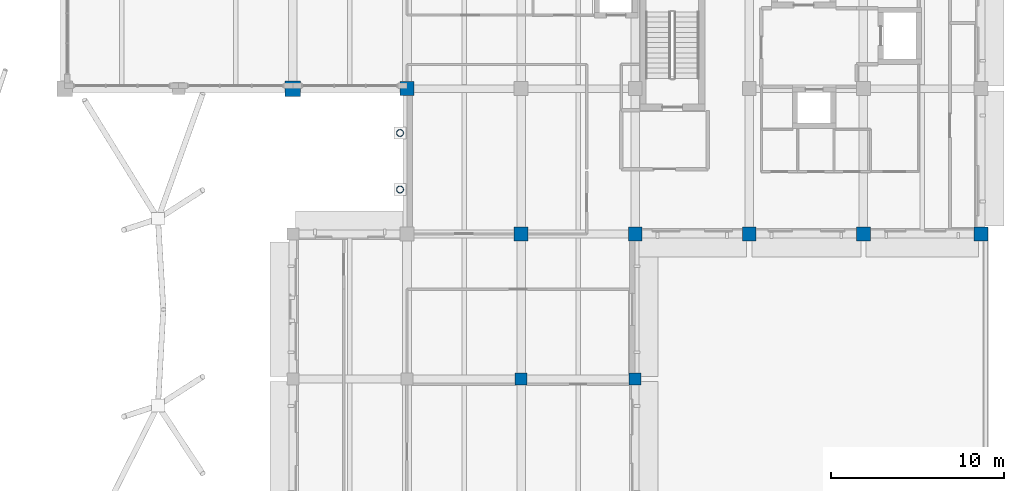
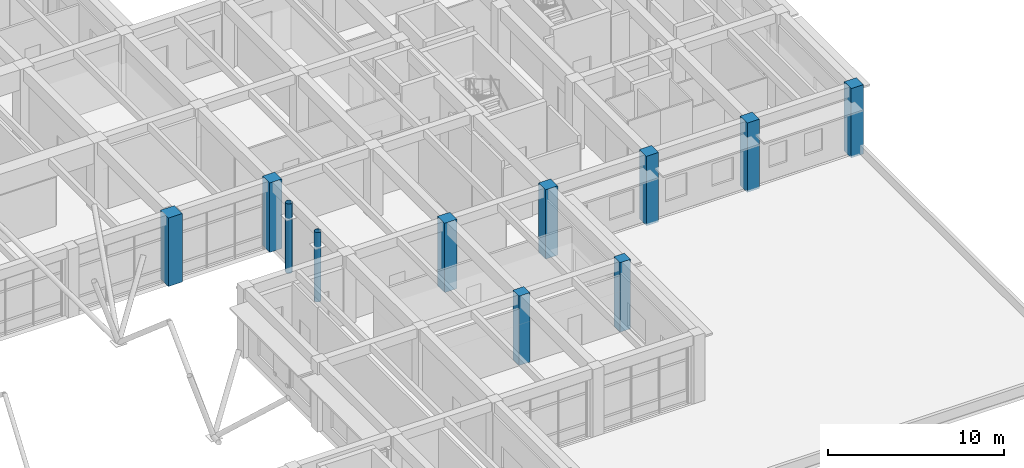
# One storey, part 4 of 75: 11 columns.
"""IFC4 building model written with IfcOpenShell, lengths in metres."""

from ifc_helpers import new_model, si_unit, direction, frame, origin, origin_2d, place, context, subcontext, project, spatial, rectangle, hollow_circle, extrude, material, material_profile, profile_set, type_object, element, save


model = new_model("IFC4")

# Units and contexts
model_context = context("Model", 3, precision=1e-05, world=origin(), true_north=direction((0.0, 1.0)))
body_context = subcontext(model_context, "Body", "Model", "MODEL_VIEW")
ifc_project = project(units=[si_unit("LENGTHUNIT", "METRE"), si_unit("AREAUNIT", "SQUARE_METRE"), si_unit("VOLUMEUNIT", "CUBIC_METRE"), si_unit("PLANEANGLEUNIT", "RADIAN"), si_unit("MASSUNIT", "GRAM", prefix="KILO")], contexts=[model_context])

# Site, building, storey
site_placement = place(None, origin())
site = spatial("IfcSite", under=ifc_project, at=site_placement, CompositionType="ELEMENT")
building_placement = place(site_placement, origin())
building = spatial("IfcBuilding", under=site, at=building_placement, Name="Kolvaren Faculty of Natural Sciences", CompositionType="ELEMENT")
storey_placement = place(building_placement, frame((0.0, 0.0, 5.39990234375)))
storey = spatial("IfcBuildingStorey", under=building, at=storey_placement, Name="L01", CompositionType="ELEMENT", Elevation=5.39990234375)

# Columns
ifc_material_1 = material(Name="Concrete C40/50", Category="concrete")
ifc_material_profile_1 = material_profile(ifc_material_1, rectangle(XDim=0.89990234375, YDim=0.89990234375, at=origin_2d()), Name="RC COL 900x900")
ifc_profile_set_1 = profile_set([ifc_material_profile_1], Name="Concrete C40/50")
column_type_1 = type_object("IfcColumnType", Name="MegaColumn_900x900", PredefinedType="COLUMN", material=ifc_profile_set_1)
column_placement = place(storey_placement, frame((132.199951171875, 67.39990234375, 0.0), z_axis=(0.0, 0.0, 1.0), x_axis=(1.0, 0.0, 0.0)))
element("IfcColumn", 1, at=column_placement, inside=storey, type_object=column_type_1, Name="L01 column MC-1 at 21/J", PredefinedType="COLUMN", context=body_context, shape_type="SweptSolid", body=[
    extrude(rectangle(XDim=0.89990234375, YDim=0.89990234375, at=origin_2d()), origin(), (0.0, 0.0, 1.0), 4.739990234375),
])
ifc_material_2 = material(Name="Structural steel EN 10210-1 S355J2H (white architectural finish)", Category="steel")
ifc_material_profile_2 = material_profile(ifc_material_2, hollow_circle(Radius=0.203125, WallThickness=0.01416015625, at=origin_2d()), Name="CHS 406.4x14.2")
ifc_profile_set_2 = profile_set([ifc_material_profile_2], Name="Structural steel EN 10210-1 S355J2H (white architectural finish)")
column_type_2 = type_object("IfcColumnType", Name="PortalTreeTrunk_CHS406", PredefinedType="COLUMN", material=ifc_profile_set_2)
for number, where, z_axis, x_axis, name in (
    (2, (138.39990234375, 61.565185546875, 0.0), (0.0, 0.0, 1.0), (1.0, 0.0, 0.0), "Covered street canopy portal column E-S (L01)"),
    (3, (138.39990234375, 64.834716796875, 0.0), (0.0, 0.0, 1.0), (1.0, 0.0, 0.0), "Covered street canopy portal column E-N (L01)"),
):
    element("IfcColumn", number, at=place(storey_placement, frame(where, z_axis=z_axis, x_axis=x_axis)), inside=storey, type_object=column_type_2, Name=name, PredefinedType="COLUMN", context=body_context, shape_type="SweptSolid", body=[
        extrude(hollow_circle(Radius=0.203125, WallThickness=0.01416015625, at=origin_2d()), origin(), (0.0, 0.0, 1.0), 4.800048828125),
    ])
ifc_material_profile_3 = material_profile(ifc_material_1, rectangle(XDim=0.800048828125, YDim=0.800048828125, at=origin_2d()), Name="RC COL 800x800")
ifc_profile_set_3 = profile_set([ifc_material_profile_3], Name="Concrete C40/50")
column_type_3 = type_object("IfcColumnType", Name="TowerColumn_800x800", PredefinedType="COLUMN", material=ifc_profile_set_3)
for number, where, z_axis, x_axis, name in (
    (4, (138.800048828125, 67.39990234375, 0.0), (0.0, 0.0, 1.0), (1.0, 0.0, 0.0), "L01 column TC-80 at 22/J"),
    (5, (145.39990234375, 59.0, 0.0), (0.0, 0.0, 1.0), (1.0, 0.0, 0.0), "L01 column TC-80 at 23/H"),
    (6, (152.0, 59.0, 0.0), (0.0, 0.0, 1.0), (1.0, 0.0, 0.0), "L01 column TC-80 at 24/H"),
    (7, (158.60009765625, 59.0, 0.0), (0.0, 0.0, 1.0), (1.0, 0.0, 0.0), "L01 column TC-80 at 25/H"),
    (8, (165.199951171875, 59.0, 0.0), (0.0, 0.0, 1.0), (1.0, 0.0, 0.0), "L01 column TC-80 at 26/H"),
    (9, (172.0, 59.0, 0.0), (0.0, 0.0, 1.0), (1.0, 0.0, 0.0), "L01 column TC-80 at 27/H"),
):
    element("IfcColumn", number, at=place(storey_placement, frame(where, z_axis=z_axis, x_axis=x_axis)), inside=storey, type_object=column_type_3, Name=name, PredefinedType="COLUMN", context=body_context, shape_type="SweptSolid", body=[
        extrude(rectangle(XDim=0.800048828125, YDim=0.800048828125, at=origin_2d()), origin(), (0.0, 0.0, 1.0), 4.800048828125),
    ])
ifc_material_profile_4 = material_profile(ifc_material_1, rectangle(XDim=0.699951171875, YDim=0.699951171875, at=origin_2d()), Name="RC COL 700x700")
ifc_profile_set_4 = profile_set([ifc_material_profile_4], Name="Concrete C40/50")
column_type_4 = type_object("IfcColumnType", Name="WingColumn_700x700", PredefinedType="COLUMN", material=ifc_profile_set_4)
for number, where, z_axis, x_axis, name in (
    (10, (145.39990234375, 50.60009765625, 0.0), (0.0, 0.0, 1.0), (1.0, 0.0, 0.0), "L01 column WC-70 at 23/G"),
    (11, (152.0, 50.60009765625, 0.0), (0.0, 0.0, 1.0), (1.0, 0.0, 0.0), "L01 column WC-70 at 24/G"),
):
    element("IfcColumn", number, at=place(storey_placement, frame(where, z_axis=z_axis, x_axis=x_axis)), inside=storey, type_object=column_type_4, Name=name, PredefinedType="COLUMN", context=body_context, shape_type="SweptSolid", body=[
        extrude(rectangle(XDim=0.699951171875, YDim=0.699951171875, at=origin_2d()), origin(), (0.0, 0.0, 1.0), 4.800048828125),
    ])

save(model, "model.ifc")
